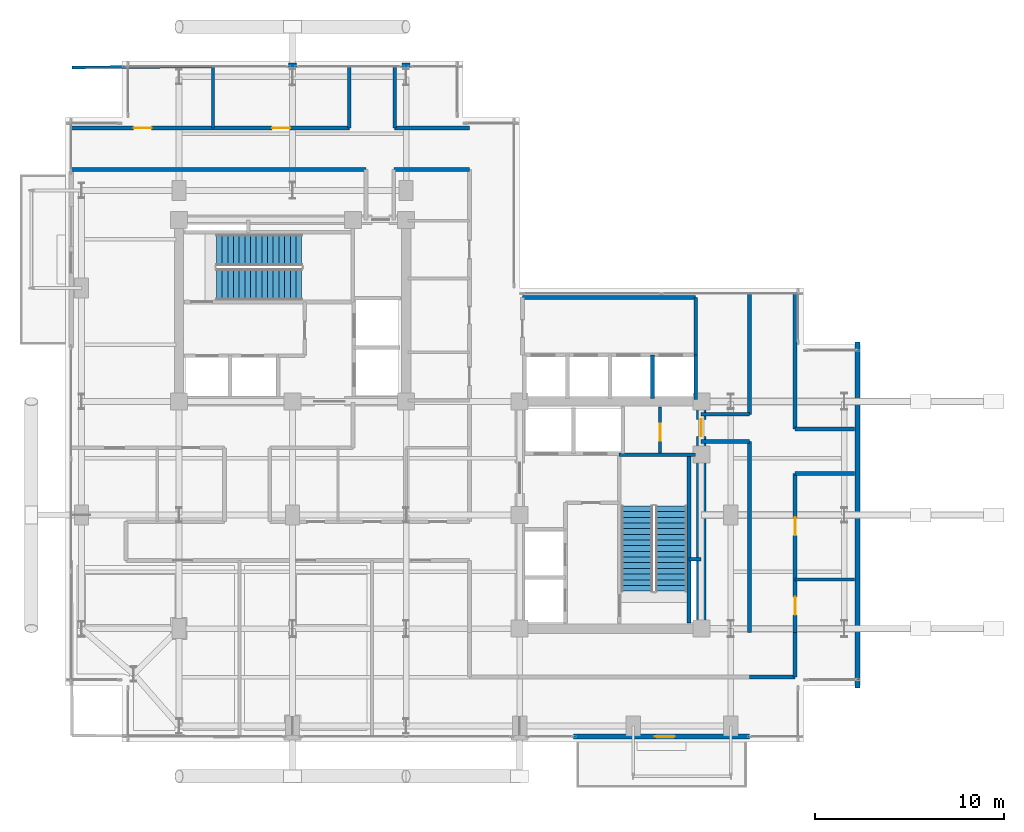
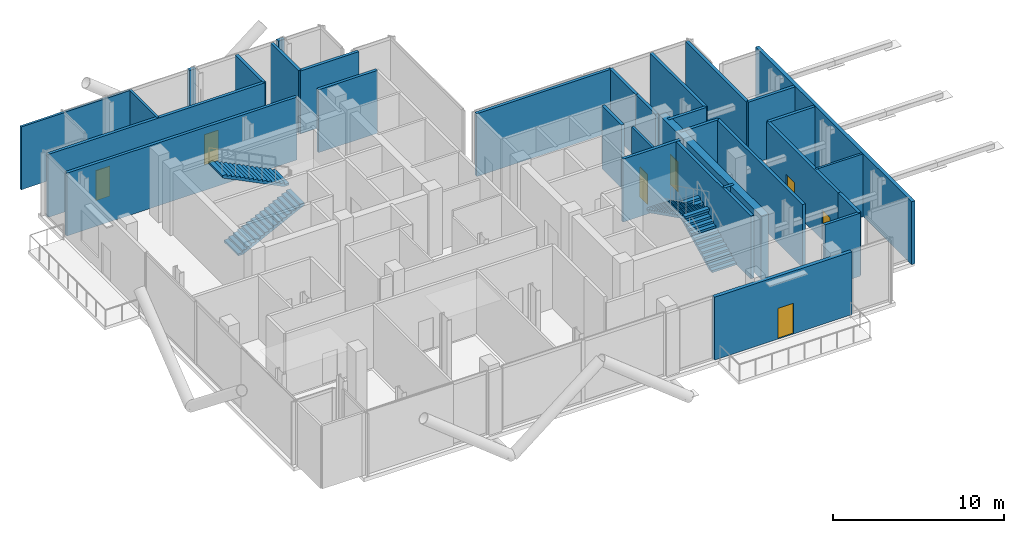
# One storey, part 19 of 22: 32 walls, 7 doors, 4 stair flights, 7 openings, 2 elements without a shape of their own.
"""IFC4 building model written with IfcOpenShell, lengths in metres."""

from ifc_helpers import new_model, si_unit, direction, frame, frame_2d, origin, place, context, subcontext, project, spatial, polyline, rectangle, outline, extrude, material, layer, layer_set, type_object, element, fill, aggregate, save


model = new_model("IFC4")

# Units and contexts
model_context = context("Model", 3, precision=1e-05, world=origin(), true_north=direction((0.0, 1.0)))
body_context = subcontext(model_context, "Body", "Model", "MODEL_VIEW")
ifc_project = project(units=[si_unit("LENGTHUNIT", "METRE"), si_unit("AREAUNIT", "SQUARE_METRE"), si_unit("VOLUMEUNIT", "CUBIC_METRE"), si_unit("PLANEANGLEUNIT", "RADIAN"), si_unit("MASSUNIT", "GRAM", prefix="KILO"), si_unit("THERMODYNAMICTEMPERATUREUNIT", "KELVIN"), si_unit("POWERUNIT", "WATT")], contexts=[model_context])

# Site, building, storey
site_placement = place(None, origin())
site = spatial("IfcSite", under=ifc_project, at=site_placement, CompositionType="ELEMENT")
building_placement = place(site_placement, origin())
building = spatial("IfcBuilding", under=site, at=building_placement, Name="Svarakhadi Broadcast Tower", CompositionType="ELEMENT")
storey_placement = place(building_placement, frame((0.0, 0.0, 199.199951171875)))
storey = spatial("IfcBuildingStorey", under=building, at=storey_placement, Name="L49", CompositionType="ELEMENT", Elevation=199.199951171875)

# Wall, opening, door
ifc_material_1 = material(Name="Concrete C40/50 (IS 456 M50)", Category="concrete")
ifc_layer_1 = layer(ifc_material_1, 0.239990234375)
ifc_layer_set_1 = layer_set([ifc_layer_1], Name="Concrete C40/50 (IS 456 M50)")
wall_type_1 = type_object("IfcWallType", Name="Wall_Ext_240", PredefinedType="SOLIDWALL", material=ifc_layer_set_1)
wall_1_placement = place(storey_placement, frame((36.14501953125, 0.300048828125, 0.0), z_axis=(0.0, 0.0, 1.0), x_axis=(-1.0, 0.0, 0.0)))
wall_1 = element("IfcWall", 1, at=wall_1_placement, inside=storey, type_object=wall_type_1, Name="L49 South Tree Balcony Spandrel Wall", PredefinedType="SOLIDWALL", context=body_context, shape_type="SweptSolid", body=[
    extrude(rectangle(XDim=9.2900390625, YDim=0.239990234375, at=frame_2d((4.64501953125, 0.0))), origin(), (0.0, 0.0, 1.0), 4.5),
])
opening_1_placement = place(wall_1_placement, frame((3.945068359375, 0.0, 0.0)))
opening_1 = element("IfcOpeningElement", 2, at=opening_1_placement, cuts=wall_1, Name="Opening ED-05", PredefinedType="OPENING", context=body_context, shape_type="SweptSolid", body=[
    extrude(rectangle(XDim=1.050048828125, YDim=2.199951171875, at=frame_2d((0.52490234375, 1.10009765625))), frame((0.0, 0.1298828125, 0.0), z_axis=(0.0, -1.0, 0.0), x_axis=(1.0, 0.0, 0.0)), (0.0, 0.0, 1.0), 0.260009765625),
])
ifc_material_2 = material(Name="Anodised Bronze Aluminium AA 6063-T6", Category="aluminium")
door_type_1 = type_object("IfcDoorType", Name="Door_Ext_ED05", OperationType="SINGLE_SWING_LEFT", PredefinedType="DOOR", material=ifc_material_2)
door_1_placement = place(opening_1_placement, origin())
door_1 = element("IfcDoor", 3, at=door_1_placement, inside=storey, type_object=door_type_1, Name="L49 South Tree Balcony Door", OperationType="SINGLE_SWING_LEFT", OverallHeight=2.199951171875, OverallWidth=1.050048828125, PredefinedType="DOOR", context=body_context, shape_type="SweptSolid", body=[
    extrude(rectangle(XDim=1.050048828125, YDim=2.199951171875, at=frame_2d((0.52490234375, 1.10009765625))), frame((0.0, 0.02490234375, 0.0), z_axis=(0.0, -1.0, 0.0), x_axis=(1.0, 0.0, 0.0)), (0.0, 0.0, 1.0), 0.050048828125),
])
fill(opening_1, door_1)

# Walls
wall_2_placement = place(storey_placement, frame((41.85009765625, 21.14990234375, 0.0), z_axis=(0.0, 0.0, 1.0), x_axis=(0.0, -1.0, 0.0)))
element("IfcWall", 4, at=wall_2_placement, inside=storey, type_object=wall_type_1, Name="L49 Sky-Pool Raker Anchor Exterior Wall", PredefinedType="SOLIDWALL", context=body_context, shape_type="SweptSolid", body=[
    extrude(rectangle(XDim=18.2998046875, YDim=0.239990234375, at=frame_2d((9.14990234375, 0.0))), origin(), (0.0, 0.0, 1.0), 4.5),
])
for number, where, z_axis, x_axis, name in (
    (5, (11.784912109375, 35.760009765625, 0.0), (0.0, 0.0, 1.0), (1.0, 0.0, 0.0), "L49 Perimeter Bronze Spandrel Closure Wall 01"),
    (6, (17.784912109375, 35.760009765625, 0.0), (0.0, 0.0, 1.0), (1.0, 0.0, 0.0), "L49 Perimeter Bronze Spandrel Closure Wall 02"),
):
    element("IfcWall", number, at=place(storey_placement, frame(where, z_axis=z_axis, x_axis=x_axis)), inside=storey, type_object=wall_type_1, Name=name, PredefinedType="SOLIDWALL", context=body_context, shape_type="SweptSolid", body=[
        extrude(rectangle(XDim=0.43017578125, YDim=0.239990234375, at=frame_2d((0.215087890625, 0.0))), origin(), (0.0, 0.0, 1.0), 4.5),
    ])
ifc_layer_2 = layer(ifc_material_1, 0.199951171875)
ifc_layer_set_2 = layer_set([ifc_layer_2], Name="Concrete C40/50 (IS 456 M50)")
wall_type_2 = type_object("IfcWallType", Name="Wall_Fire_200", PredefinedType="SOLIDWALL", material=ifc_layer_set_2)
wall_3_placement = place(storey_placement, frame((32.93994140625, 9.659912109375, 0.0), z_axis=(0.0, 0.0, 1.0), x_axis=(1.0, 0.0, 0.0)))
element("IfcWall", 7, at=wall_3_placement, inside=storey, type_object=wall_type_2, Name="L49 HV Busduct Riser Shaft North Wall", PredefinedType="SOLIDWALL", context=body_context, shape_type="SweptSolid", body=[
    extrude(rectangle(XDim=0.64013671875, YDim=0.199951171875, at=frame_2d((0.320068359375, 0.0))), origin(), (0.0, 0.0, 1.0), 4.5),
])
wall_4_placement = place(storey_placement, frame((36.14990234375, 5.800048828125, 0.0), z_axis=(0.0, 0.0, 1.0), x_axis=(0.0, 1.0, 0.0)))
element("IfcWall", 8, at=wall_4_placement, inside=storey, type_object=wall_type_2, Name="L49 Zone 2/3 Corridor Wall", PredefinedType="SOLIDWALL", context=body_context, shape_type="SweptSolid", body=[
    extrude(rectangle(XDim=10.079833984375, YDim=0.199951171875, at=frame_2d((5.0400390625, 0.0))), origin(), (0.0, 0.0, 1.0), 4.5),
])
for number, where, z_axis, x_axis, name in (
    (9, (36.14990234375, 15.8798828125, 0.0), (0.0, 0.0, 1.0), (-1.0, 0.0, 0.0), "L49 Zone 2/3 Corridor Wall"),
    (10, (33.580078125, 17.320068359375, 0.0), (0.0, 0.0, 1.0), (1.0, 0.0, 0.0), "L49 Zone 2/3 Corridor Wall"),
):
    element("IfcWall", number, at=place(storey_placement, frame(where, z_axis=z_axis, x_axis=x_axis)), inside=storey, type_object=wall_type_2, Name=name, PredefinedType="SOLIDWALL", context=body_context, shape_type="SweptSolid", body=[
        extrude(rectangle(XDim=2.56982421875, YDim=0.199951171875, at=frame_2d((1.284912109375, 0.0))), origin(), (0.0, 0.0, 1.0), 4.5),
    ])
wall_5_placement = place(storey_placement, frame((36.14990234375, 17.320068359375, 0.0), z_axis=(0.0, 0.0, 1.0), x_axis=(0.0, 1.0, 0.0)))
element("IfcWall", 11, at=wall_5_placement, inside=storey, type_object=wall_type_2, Name="L49 Zone 2/3 Corridor Wall", PredefinedType="SOLIDWALL", context=body_context, shape_type="SweptSolid", body=[
    extrude(rectangle(XDim=6.3798828125, YDim=0.199951171875, at=frame_2d((3.18994140625, 0.0))), origin(), (0.0, 0.0, 1.0), 4.5),
])
wall_6_placement = place(storey_placement, frame((38.550048828125, 23.699951171875, 0.0), z_axis=(0.0, 0.0, 1.0), x_axis=(0.0, -1.0, 0.0)))
element("IfcWall", 12, at=wall_6_placement, inside=storey, type_object=wall_type_2, Name="L49 Zone 2/3 Corridor Wall", PredefinedType="SOLIDWALL", context=body_context, shape_type="SweptSolid", body=[
    extrude(rectangle(XDim=7.14990234375, YDim=0.199951171875, at=frame_2d((3.574951171875, 0.0))), origin(), (0.0, 0.0, 1.0), 4.5),
])
for number, where, z_axis, x_axis, name in (
    (13, (38.550048828125, 16.550048828125, 0.0), (0.0, 0.0, 1.0), (1.0, 0.0, 0.0), "L49 Zone 2/3 Corridor Wall"),
    (14, (41.699951171875, 14.199951171875, 0.0), (0.0, 0.0, 1.0), (-1.0, 0.0, 0.0), "L49 Zone 2/3 Corridor Wall"),
):
    element("IfcWall", number, at=place(storey_placement, frame(where, z_axis=z_axis, x_axis=x_axis)), inside=storey, type_object=wall_type_2, Name=name, PredefinedType="SOLIDWALL", context=body_context, shape_type="SweptSolid", body=[
        extrude(rectangle(XDim=3.14990234375, YDim=0.199951171875, at=frame_2d((1.574951171875, 0.0))), origin(), (0.0, 0.0, 1.0), 4.5),
    ])

# Wall, openings, doors
wall_7_placement = place(storey_placement, frame((38.550048828125, 14.199951171875, 0.0), z_axis=(0.0, 0.0, 1.0), x_axis=(0.0, -1.0, 0.0)))
wall_7 = element("IfcWall", 15, at=wall_7_placement, inside=storey, type_object=wall_type_2, Name="L49 Zone 2/3 Corridor Wall", PredefinedType="SOLIDWALL", context=body_context, shape_type="SweptSolid", body=[
    extrude(rectangle(XDim=8.39990234375, YDim=0.199951171875, at=frame_2d((4.199951171875, 0.0))), origin(), (0.0, 0.0, 1.0), 4.5),
])
opening_2_placement = place(wall_7_placement, frame((6.52490234375, 0.0, 0.0)))
opening_2 = element("IfcOpeningElement", 16, at=opening_2_placement, cuts=wall_7, Name="Opening D-06", PredefinedType="OPENING", context=body_context, shape_type="SweptSolid", body=[
    extrude(rectangle(XDim=0.949951171875, YDim=2.14990234375, at=frame_2d((0.47509765625, 1.074951171875))), frame((0.0, 0.10986328125, 0.0), z_axis=(0.0, -1.0, 0.0), x_axis=(1.0, 0.0, 0.0)), (0.0, 0.0, 1.0), 0.219970703125),
])
opening_3_placement = place(wall_7_placement, frame((2.324951171875, 0.0, 0.0)))
opening_3 = element("IfcOpeningElement", 17, at=opening_3_placement, cuts=wall_7, Name="Opening D-07", PredefinedType="OPENING", context=body_context, shape_type="SweptSolid", body=[
    extrude(rectangle(XDim=0.949951171875, YDim=2.14990234375, at=frame_2d((0.47509765625, 1.074951171875))), frame((0.0, 0.10986328125, 0.0), z_axis=(0.0, -1.0, 0.0), x_axis=(1.0, 0.0, 0.0)), (0.0, 0.0, 1.0), 0.219970703125),
])
ifc_material_3 = material(Name="Solid-Core Teak Veneer Acoustic Timber Leaf", Category="wood")
door_type_2 = type_object("IfcDoorType", Name="Door_Office_D06", OperationType="SINGLE_SWING_LEFT", PredefinedType="DOOR", material=ifc_material_3)
door_2_placement = place(opening_2_placement, origin())
door_2 = element("IfcDoor", 18, at=door_2_placement, inside=storey, type_object=door_type_2, Name="L49 L49 VIP Broadcast Reception Room Door", OperationType="SINGLE_SWING_LEFT", OverallHeight=2.14990234375, OverallWidth=0.949951171875, PredefinedType="DOOR", context=body_context, shape_type="SweptSolid", body=[
    extrude(rectangle(XDim=0.949951171875, YDim=2.14990234375, at=frame_2d((0.47509765625, 1.074951171875))), frame((0.0, 0.02490234375, 0.0), z_axis=(0.0, -1.0, 0.0), x_axis=(1.0, 0.0, 0.0)), (0.0, 0.0, 1.0), 0.050048828125),
])
fill(opening_2, door_2)
door_type_3 = type_object("IfcDoorType", Name="Door_Office_D07", OperationType="SINGLE_SWING_RIGHT", PredefinedType="DOOR", material=ifc_material_3)
door_3_placement = place(opening_3_placement, origin())
door_3 = element("IfcDoor", 19, at=door_3_placement, inside=storey, type_object=door_type_3, Name="L49 L49 Hotel Concierge Reception Office Door", OperationType="SINGLE_SWING_RIGHT", OverallHeight=2.14990234375, OverallWidth=0.949951171875, PredefinedType="DOOR", context=body_context, shape_type="SweptSolid", body=[
    extrude(rectangle(XDim=0.949951171875, YDim=2.14990234375, at=frame_2d((0.47509765625, 1.074951171875))), frame((0.0, 0.02490234375, 0.0), z_axis=(0.0, -1.0, 0.0), x_axis=(1.0, 0.0, 0.0)), (0.0, 0.0, 1.0), 0.050048828125),
])
fill(opening_3, door_3)

# Walls
wall_8_placement = place(storey_placement, frame((38.550048828125, 5.800048828125, 0.0), z_axis=(0.0, 0.0, 1.0), x_axis=(0.0, -1.0, 0.0)))
element("IfcWall", 20, at=wall_8_placement, inside=storey, type_object=wall_type_2, Name="L49 Zone 2/3 Corridor Wall", PredefinedType="SOLIDWALL", context=body_context, shape_type="SweptSolid", body=[
    extrude(rectangle(XDim=2.35009765625, YDim=0.199951171875, at=frame_2d((1.175048828125, 0.0))), origin(), (0.0, 0.0, 1.0), 4.5),
])
wall_9_placement = place(storey_placement, frame((38.550048828125, 3.449951171875, 0.0), z_axis=(0.0, 0.0, 1.0), x_axis=(-1.0, 0.0, 0.0)))
element("IfcWall", 21, at=wall_9_placement, inside=storey, type_object=wall_type_2, Name="L49 Zone 2/3 Corridor Wall", PredefinedType="SOLIDWALL", context=body_context, shape_type="SweptSolid", body=[
    extrude(rectangle(XDim=2.400146484375, YDim=0.199951171875, at=frame_2d((1.2001953125, 0.0))), origin(), (0.0, 0.0, 1.0), 4.5),
])
wall_10_placement = place(storey_placement, frame((21.35009765625, 30.25, 0.0), z_axis=(0.0, 0.0, 1.0), x_axis=(-1.0, 0.0, 0.0)))
element("IfcWall", 22, at=wall_10_placement, inside=storey, type_object=wall_type_2, Name="L49 Zone 2/3 Corridor Wall", PredefinedType="SOLIDWALL", context=body_context, shape_type="SweptSolid", body=[
    extrude(rectangle(XDim=4.0, YDim=0.199951171875, at=frame_2d((2.0, 0.0))), origin(), (0.0, 0.0, 1.0), 4.5),
])
wall_11_placement = place(storey_placement, frame((15.8798828125, 30.25, 0.0), z_axis=(0.0, 0.0, 1.0), x_axis=(-1.0, 0.0, 0.0)))
element("IfcWall", 23, at=wall_11_placement, inside=storey, type_object=wall_type_2, Name="L49 Zone 2/3 Corridor Wall", PredefinedType="SOLIDWALL", context=body_context, shape_type="SweptSolid", body=[
    extrude(rectangle(XDim=15.579833984375, YDim=0.199951171875, at=frame_2d((7.7900390625, 0.0))), origin(), (0.0, 0.0, 1.0), 4.5),
])

# Wall, openings, doors
wall_12_placement = place(storey_placement, frame((0.300048828125, 32.449951171875, 0.0), z_axis=(0.0, 0.0, 1.0), x_axis=(1.0, 0.0, 0.0)))
wall_12 = element("IfcWall", 24, at=wall_12_placement, inside=storey, type_object=wall_type_2, Name="L49 Zone 2/3 Corridor Wall", PredefinedType="SOLIDWALL", context=body_context, shape_type="SweptSolid", body=[
    extrude(rectangle(XDim=14.699951171875, YDim=0.199951171875, at=frame_2d((7.35009765625, 0.0))), origin(), (0.0, 0.0, 1.0), 4.5),
])
opening_4_placement = place(wall_12_placement, frame((3.300048828125, 0.0, 0.0)))
opening_4 = element("IfcOpeningElement", 25, at=opening_4_placement, cuts=wall_12, Name="Opening D-07", PredefinedType="OPENING", context=body_context, shape_type="SweptSolid", body=[
    extrude(rectangle(XDim=0.949951171875, YDim=2.14990234375, at=frame_2d((0.47509765625, 1.074951171875))), frame((0.0, 0.10986328125, 0.0), z_axis=(0.0, -1.0, 0.0), x_axis=(1.0, 0.0, 0.0)), (0.0, 0.0, 1.0), 0.219970703125),
])
opening_5_placement = place(wall_12_placement, frame((10.625, 0.0, 0.0)))
opening_5 = element("IfcOpeningElement", 26, at=opening_5_placement, cuts=wall_12, Name="Opening D-06", PredefinedType="OPENING", context=body_context, shape_type="SweptSolid", body=[
    extrude(rectangle(XDim=0.949951171875, YDim=2.14990234375, at=frame_2d((0.47509765625, 1.074951171875))), frame((0.0, 0.10986328125, 0.0), z_axis=(0.0, -1.0, 0.0), x_axis=(1.0, 0.0, 0.0)), (0.0, 0.0, 1.0), 0.219970703125),
])
door_4_placement = place(opening_5_placement, origin())
door_4 = element("IfcDoor", 27, at=door_4_placement, inside=storey, type_object=door_type_2, Name="L49 L49 Concierge Hospitality Office Door", OperationType="SINGLE_SWING_LEFT", OverallHeight=2.14990234375, OverallWidth=0.949951171875, PredefinedType="DOOR", context=body_context, shape_type="SweptSolid", body=[
    extrude(rectangle(XDim=0.949951171875, YDim=2.14990234375, at=frame_2d((0.47509765625, 1.074951171875))), frame((0.0, 0.02490234375, 0.0), z_axis=(0.0, -1.0, 0.0), x_axis=(1.0, 0.0, 0.0)), (0.0, 0.0, 1.0), 0.050048828125),
])
fill(opening_5, door_4)
door_5_placement = place(opening_4_placement, origin())
door_5 = element("IfcDoor", 28, at=door_5_placement, inside=storey, type_object=door_type_3, Name="L49 L49 Guest Wellness Lounge Door", OperationType="SINGLE_SWING_RIGHT", OverallHeight=2.14990234375, OverallWidth=0.949951171875, PredefinedType="DOOR", context=body_context, shape_type="SweptSolid", body=[
    extrude(rectangle(XDim=0.949951171875, YDim=2.14990234375, at=frame_2d((0.47509765625, 1.074951171875))), frame((0.0, 0.02490234375, 0.0), z_axis=(0.0, -1.0, 0.0), x_axis=(1.0, 0.0, 0.0)), (0.0, 0.0, 1.0), 0.050048828125),
])
fill(opening_4, door_5)

# Walls
for number, where, z_axis, x_axis, name in (
    (29, (15.0, 32.449951171875, 0.0), (0.0, 0.0, 1.0), (0.0, 1.0, 0.0), "L49 Zone 2/3 Corridor Wall"),
    (30, (17.39990234375, 35.699951171875, 0.0), (0.0, 0.0, 1.0), (0.0, -1.0, 0.0), "L49 Zone 2/3 Corridor Wall"),
):
    element("IfcWall", number, at=place(storey_placement, frame(where, z_axis=z_axis, x_axis=x_axis)), inside=storey, type_object=wall_type_2, Name=name, PredefinedType="SOLIDWALL", context=body_context, shape_type="SweptSolid", body=[
        extrude(rectangle(XDim=3.25, YDim=0.199951171875, at=frame_2d((1.625, 0.0))), origin(), (0.0, 0.0, 1.0), 4.5),
    ])
wall_13_placement = place(storey_placement, frame((17.39990234375, 32.449951171875, 0.0), z_axis=(0.0, 0.0, 1.0), x_axis=(1.0, 0.0, 0.0)))
element("IfcWall", 31, at=wall_13_placement, inside=storey, type_object=wall_type_2, Name="L49 Zone 2/3 Corridor Wall", PredefinedType="SOLIDWALL", context=body_context, shape_type="SweptSolid", body=[
    extrude(rectangle(XDim=3.9501953125, YDim=0.199951171875, at=frame_2d((1.97509765625, 0.0))), origin(), (0.0, 0.0, 1.0), 4.5),
])

# Wall, opening, door
ifc_material_4 = material(Name="Autoclaved Aerated Concrete Blockwork 150 mm", Category="masonry")
ifc_layer_3 = layer(ifc_material_4, 0.14990234375)
ifc_layer_set_3 = layer_set([ifc_layer_3], Name="Autoclaved Aerated Concrete Blockwork 150 mm")
wall_type_3 = type_object("IfcWallType", Name="Wall_Part_150", PredefinedType="PARTITIONING", material=ifc_layer_set_3)
wall_14_placement = place(storey_placement, frame((31.419921875, 15.280029296875, 0.0), z_axis=(0.0, 0.0, 1.0), x_axis=(0.0, 1.0, 0.0)))
wall_14 = element("IfcWall", 32, at=wall_14_placement, inside=storey, type_object=wall_type_3, Name="L49 Core Service Split Wall", PredefinedType="PARTITIONING", context=body_context, shape_type="SweptSolid", body=[
    extrude(rectangle(XDim=2.419921875, YDim=0.14990234375, at=frame_2d((1.2099609375, 0.0))), origin(), (0.0, 0.0, 1.0), 4.5),
])
opening_6_placement = place(wall_14_placement, frame((0.64990234375, 0.0, 0.0)))
opening_6 = element("IfcOpeningElement", 33, at=opening_6_placement, cuts=wall_14, Name="Opening D-03", PredefinedType="OPENING", context=body_context, shape_type="SweptSolid", body=[
    extrude(rectangle(XDim=0.89990234375, YDim=2.14990234375, at=frame_2d((0.449951171875, 1.074951171875))), frame((0.0, 0.0849609375, 0.0), z_axis=(0.0, -1.0, 0.0), x_axis=(1.0, 0.0, 0.0)), (0.0, 0.0, 1.0), 0.169921875),
])
ifc_material_5 = material(Name="Galvanised Powder-Coated Fire-Rated Steel Leaf", Category="steel")
door_type_4 = type_object("IfcDoorType", Name="Door_Fire_D03", OperationType="SINGLE_SWING_LEFT", PredefinedType="DOOR", material=ifc_material_5)
door_6_placement = place(opening_6_placement, origin())
door_6 = element("IfcDoor", 34, at=door_6_placement, inside=storey, type_object=door_type_4, Name="L49 Core Inner Riser Store Door", OperationType="SINGLE_SWING_LEFT", OverallHeight=2.14990234375, OverallWidth=0.89990234375, PredefinedType="DOOR", context=body_context, shape_type="SweptSolid", body=[
    extrude(rectangle(XDim=0.89990234375, YDim=2.14990234375, at=frame_2d((0.449951171875, 1.074951171875))), frame((0.0, 0.02490234375, 0.0), z_axis=(0.0, -1.0, 0.0), x_axis=(1.0, 0.0, 0.0)), (0.0, 0.0, 1.0), 0.050048828125),
])
fill(opening_6, door_6)

# Walls
wall_15_placement = place(storey_placement, frame((38.550048828125, 8.60009765625, 0.0), z_axis=(0.0, 0.0, 1.0), x_axis=(1.0, 0.0, 0.0)))
element("IfcWall", 35, at=wall_15_placement, inside=storey, type_object=wall_type_3, Name="L49 L49 VIP Broadcast Reception Room Wall", PredefinedType="PARTITIONING", context=body_context, shape_type="SweptSolid", body=[
    extrude(rectangle(XDim=3.14990234375, YDim=0.14990234375, at=frame_2d((1.574951171875, 0.0))), origin(), (0.0, 0.0, 1.0), 4.5),
])
wall_16_placement = place(storey_placement, frame((0.35009765625, 35.64990234375, 0.0), z_axis=(0.0, 0.0, 1.0), x_axis=(0.999977434951, 0.006717855945, 0.0)))
element("IfcWall", 36, at=wall_16_placement, inside=storey, type_object=wall_type_3, Name="L49 L49 Guest Wellness Lounge Wall", PredefinedType="PARTITIONING", context=body_context, shape_type="SweptSolid", body=[
    extrude(rectangle(XDim=7.4501953125, YDim=0.14990234375, at=frame_2d((3.72509765625, 0.0))), origin(), (0.0, 0.0, 1.0), 4.5),
])
wall_17_placement = place(storey_placement, frame((7.800048828125, 32.449951171875, 0.0), z_axis=(0.0, 0.0, 1.0), x_axis=(0.0, 1.0, 0.0)))
element("IfcWall", 37, at=wall_17_placement, inside=storey, type_object=wall_type_3, Name="L49 L49 Guest Wellness Lounge Wall", PredefinedType="PARTITIONING", context=body_context, shape_type="SweptSolid", body=[
    extrude(rectangle(XDim=3.25, YDim=0.14990234375, at=frame_2d((1.625, 0.0))), origin(), (0.0, 0.0, 1.0), 4.5),
])
ifc_material_6 = material(Name="Concrete C50/60 (IS 456 M60)", Category="concrete")
ifc_layer_4 = layer(ifc_material_6, 0.199951171875)
ifc_layer_set_4 = layer_set([ifc_layer_4], Name="Concrete C50/60 (IS 456 M60)")
wall_type_4 = type_object("IfcWallType", Name="Wall_Shear_200", PredefinedType="SHEAR", material=ifc_layer_set_4)
wall_18_placement = place(storey_placement, frame((32.93994140625, 6.300048828125, 0.0), z_axis=(0.0, 0.0, 1.0), x_axis=(0.0, 1.0, 0.0)))
element("IfcWall", 38, at=wall_18_placement, inside=storey, type_object=wall_type_4, Name="L49 Stair ST-02 East RC Shaft Wall", PredefinedType="SHEAR", context=body_context, shape_type="SweptSolid", body=[
    extrude(rectangle(XDim=8.8798828125, YDim=0.199951171875, at=frame_2d((4.43994140625, 0.0))), origin(), (0.0, 0.0, 1.0), 4.5),
])
wall_19_placement = place(storey_placement, frame((29.260009765625, 15.179931640625, 0.0), z_axis=(0.0, 0.0, 1.0), x_axis=(1.0, 0.0, 0.0)))
element("IfcWall", 39, at=wall_19_placement, inside=storey, type_object=wall_type_4, Name="L49 Stair ST-02 North RC Shaft Wall", PredefinedType="SHEAR", context=body_context, shape_type="SweptSolid", body=[
    extrude(rectangle(XDim=4.0400390625, YDim=0.199951171875, at=frame_2d((2.02001953125, 0.0))), origin(), (0.0, 0.0, 1.0), 4.5),
])
wall_20_placement = place(storey_placement, frame((33.300048828125, 18.10009765625, 0.0), z_axis=(0.0, 0.0, 1.0), x_axis=(0.0, 1.0, 0.0)))
element("IfcWall", 40, at=wall_20_placement, inside=storey, type_object=wall_type_4, Name="L49 Bank B East Shaft Wall", PredefinedType="SHEAR", context=body_context, shape_type="SweptSolid", body=[
    extrude(rectangle(XDim=2.349853515625, YDim=0.199951171875, at=frame_2d((1.1748046875, 0.0))), origin(), (0.0, 0.0, 1.0), 4.5),
])
wall_21_placement = place(storey_placement, frame((31.02001953125, 18.14990234375, 0.0), z_axis=(0.0, 0.0, 1.0), x_axis=(0.0, 1.0, 0.0)))
element("IfcWall", 41, at=wall_21_placement, inside=storey, type_object=wall_type_4, Name="L49 Bank B Divider", PredefinedType="SHEAR", context=body_context, shape_type="SweptSolid", body=[
    extrude(rectangle(XDim=2.300048828125, YDim=0.199951171875, at=frame_2d((1.14990234375, 0.0))), origin(), (0.0, 0.0, 1.0), 4.5),
])
wall_22_placement = place(storey_placement, frame((24.14990234375, 23.5, 0.0), z_axis=(0.0, 0.0, 1.0), x_axis=(1.0, 0.0, 0.0)))
element("IfcWall", 42, at=wall_22_placement, inside=storey, type_object=wall_type_4, Name="L49 Bank B Lift Hall North Wall", PredefinedType="SHEAR", context=body_context, shape_type="SweptSolid", body=[
    extrude(rectangle(XDim=9.150146484375, YDim=0.199951171875, at=frame_2d((4.5751953125, 0.0))), origin(), (0.0, 0.0, 1.0), 4.5),
])
wall_23_placement = place(storey_placement, frame((33.300048828125, 20.449951171875, 0.0), z_axis=(0.0, 0.0, 1.0), x_axis=(0.0, 1.0, 0.0)))
element("IfcWall", 43, at=wall_23_placement, inside=storey, type_object=wall_type_4, Name="L49 Bank B Lift Hall East Wall", PredefinedType="SHEAR", context=body_context, shape_type="SweptSolid", body=[
    extrude(rectangle(XDim=3.050048828125, YDim=0.199951171875, at=frame_2d((1.52490234375, 0.0))), origin(), (0.0, 0.0, 1.0), 4.5),
])

# Wall, opening, door
ifc_layer_5 = layer(ifc_material_6, 0.5)
ifc_layer_set_5 = layer_set([ifc_layer_5], Name="Concrete C50/60 (IS 456 M60)")
wall_type_5 = type_object("IfcWallType", Name="Wall_Shear_500", PredefinedType="SHEAR", material=ifc_layer_set_5)
wall_24_placement = place(storey_placement, frame((33.60009765625, 6.0, 0.0), z_axis=(0.0, 0.0, 1.0), x_axis=(0.0, 1.0, 0.0)))
wall_24 = element("IfcWall", 44, at=wall_24_placement, inside=storey, type_object=wall_type_5, Name="L49 East Core East Shear Wall", PredefinedType="SHEAR", context=body_context, shape_type="SweptSolid", body=[
    extrude(rectangle(XDim=12.0, YDim=0.5, at=frame_2d((6.0, 0.0))), origin(), (0.0, 0.0, 1.0), 4.5),
])
opening_7_placement = place(wall_24_placement, frame((10.14990234375, 0.0, 0.0)))
opening_7 = element("IfcOpeningElement", 45, at=opening_7_placement, cuts=wall_24, Name="Opening D-04", PredefinedType="OPENING", context=body_context, shape_type="SweptSolid", body=[
    extrude(rectangle(XDim=0.89990234375, YDim=2.14990234375, at=frame_2d((0.449951171875, 1.074951171875))), frame((0.0, 0.260009765625, 0.0), z_axis=(0.0, -1.0, 0.0), x_axis=(1.0, 0.0, 0.0)), (0.0, 0.0, 1.0), 0.52001953125),
])
door_type_5 = type_object("IfcDoorType", Name="Door_Fire_D04", OperationType="SINGLE_SWING_RIGHT", PredefinedType="DOOR", material=ifc_material_5)
door_7_placement = place(opening_7_placement, origin())
door_7 = element("IfcDoor", 46, at=door_7_placement, inside=storey, type_object=door_type_5, Name="L49 Core Outer Service Store Door", OperationType="SINGLE_SWING_RIGHT", OverallHeight=2.14990234375, OverallWidth=0.89990234375, PredefinedType="DOOR", context=body_context, shape_type="SweptSolid", body=[
    extrude(rectangle(XDim=0.89990234375, YDim=2.14990234375, at=frame_2d((0.449951171875, 1.074951171875))), frame((0.0, 0.02490234375, 0.0), z_axis=(0.0, -1.0, 0.0), x_axis=(1.0, 0.0, 0.0)), (0.0, 0.0, 1.0), 0.050048828125),
])
fill(opening_7, door_7)

# Stair, stair flights
stair_type = type_object("IfcStairType", Name="Stair_Exit_Core", PredefinedType="HALF_TURN_STAIR", material=ifc_material_1)
stair_1_placement = place(storey_placement, origin())
stair_1 = element("IfcStair", 47, at=stair_1_placement, inside=storey, type_object=stair_type, Name="L49 West Core Protected Exit Stair ST-01", PredefinedType="HALF_TURN_STAIR")
stair_flight_type = type_object("IfcStairFlightType", Name="Flight_RC_1680", PredefinedType="STRAIGHT", material=ifc_material_1)
stair_flight_1_placement = place(storey_placement, frame((7.97998046875, 24.18994140625, 0.0), z_axis=(0.0, 0.0, 1.0), x_axis=(1.0, 0.0, 0.0)))
stair_flight_1 = element("IfcStairFlight", 48, at=stair_flight_1_placement, type_object=stair_flight_type, Name="ST-01 flight 1", NumberOfRisers=16, NumberOfTreads=15, PredefinedType="STRAIGHT", RiserHeight=0.15, TreadLength=0.3, context=body_context, shape_type="SweptSolid", body=[
    extrude(outline(polyline([(0.0, 0.0), (0.0, 0.14990234375), (0.300048828125, 0.14990234375), (0.300048828125, 0.300048828125), (0.60009765625, 0.300048828125), (0.60009765625, 0.449951171875), (0.89990234375, 0.449951171875), (0.89990234375, 0.60009765625), (1.199951171875, 0.60009765625), (1.199951171875, 0.75), (1.5, 0.75), (1.5, 0.89990234375), (1.800048828125, 0.89990234375), (1.800048828125, 1.050048828125), (2.10009765625, 1.050048828125), (2.10009765625, 1.199951171875), (2.39990234375, 1.199951171875), (2.39990234375, 1.35009765625), (2.699951171875, 1.35009765625), (2.699951171875, 1.5), (3.0, 1.5), (3.0, 1.64990234375), (3.300048828125, 1.64990234375), (3.300048828125, 1.800048828125), (3.60009765625, 1.800048828125), (3.60009765625, 1.949951171875), (3.89990234375, 1.949951171875), (3.89990234375, 2.10009765625), (4.199951171875, 2.10009765625), (4.199951171875, 2.25), (4.5, 2.25), (4.5, 2.39990234375), (4.5, 2.08251953125), (0.335205078125, 0.0), (0.0, 0.0)])), frame((0.0, 0.830078125, 0.0), z_axis=(0.0, -1.0, 0.0), x_axis=(1.0, 0.0, 0.0)), (0.0, 0.0, 1.0), 1.659912109375),
])
stair_flight_2_placement = place(storey_placement, frame((12.47998046875, 26.010009765625, 2.400146484375), z_axis=(0.0, 0.0, 1.0), x_axis=(-1.0, 0.0, 0.0)))
stair_flight_2 = element("IfcStairFlight", 49, at=stair_flight_2_placement, type_object=stair_flight_type, Name="ST-01 flight 2", NumberOfRisers=16, NumberOfTreads=15, PredefinedType="STRAIGHT", RiserHeight=0.15, TreadLength=0.3, context=body_context, shape_type="SweptSolid", body=[
    extrude(outline(polyline([(0.0, 0.0), (0.0, 0.14990234375), (0.300048828125, 0.14990234375), (0.300048828125, 0.300048828125), (0.60009765625, 0.300048828125), (0.60009765625, 0.449951171875), (0.89990234375, 0.449951171875), (0.89990234375, 0.60009765625), (1.199951171875, 0.60009765625), (1.199951171875, 0.75), (1.5, 0.75), (1.5, 0.89990234375), (1.800048828125, 0.89990234375), (1.800048828125, 1.050048828125), (2.10009765625, 1.050048828125), (2.10009765625, 1.199951171875), (2.39990234375, 1.199951171875), (2.39990234375, 1.35009765625), (2.699951171875, 1.35009765625), (2.699951171875, 1.5), (3.0, 1.5), (3.0, 1.64990234375), (3.300048828125, 1.64990234375), (3.300048828125, 1.800048828125), (3.60009765625, 1.800048828125), (3.60009765625, 1.949951171875), (3.89990234375, 1.949951171875), (3.89990234375, 2.10009765625), (4.199951171875, 2.10009765625), (4.199951171875, 2.25), (4.5, 2.25), (4.5, 2.39990234375), (4.5, 2.08251953125), (0.335205078125, 0.0), (0.0, 0.0)])), frame((0.0, 0.830078125, 0.0), z_axis=(0.0, -1.0, 0.0), x_axis=(1.0, 0.0, 0.0)), (0.0, 0.0, 1.0), 1.659912109375),
])
aggregate(stair_1, [stair_flight_1, stair_flight_2])

stair_2_placement = place(storey_placement, origin())
stair_2 = element("IfcStair", 50, at=stair_2_placement, inside=storey, type_object=stair_type, Name="L49 East Core Protected Exit Stair ST-02", PredefinedType="HALF_TURN_STAIR")
stair_flight_3_placement = place(storey_placement, frame((32.010009765625, 7.97998046875, 0.0), z_axis=(0.0, 0.0, 1.0), x_axis=(0.0, 1.0, 0.0)))
stair_flight_3 = element("IfcStairFlight", 51, at=stair_flight_3_placement, type_object=stair_flight_type, Name="ST-02 flight 1", NumberOfRisers=16, NumberOfTreads=15, PredefinedType="STRAIGHT", RiserHeight=0.15, TreadLength=0.3, context=body_context, shape_type="SweptSolid", body=[
    extrude(outline(polyline([(0.0, 0.0), (0.0, 0.14990234375), (0.300048828125, 0.14990234375), (0.300048828125, 0.300048828125), (0.60009765625, 0.300048828125), (0.60009765625, 0.449951171875), (0.89990234375, 0.449951171875), (0.89990234375, 0.60009765625), (1.199951171875, 0.60009765625), (1.199951171875, 0.75), (1.5, 0.75), (1.5, 0.89990234375), (1.800048828125, 0.89990234375), (1.800048828125, 1.050048828125), (2.10009765625, 1.050048828125), (2.10009765625, 1.199951171875), (2.39990234375, 1.199951171875), (2.39990234375, 1.35009765625), (2.699951171875, 1.35009765625), (2.699951171875, 1.5), (3.0, 1.5), (3.0, 1.64990234375), (3.300048828125, 1.64990234375), (3.300048828125, 1.800048828125), (3.60009765625, 1.800048828125), (3.60009765625, 1.949951171875), (3.89990234375, 1.949951171875), (3.89990234375, 2.10009765625), (4.199951171875, 2.10009765625), (4.199951171875, 2.25), (4.5, 2.25), (4.5, 2.39990234375), (4.5, 2.08251953125), (0.335205078125, 0.0), (0.0, 0.0)])), frame((0.0, 0.830078125, 0.0), z_axis=(0.0, -1.0, 0.0), x_axis=(1.0, 0.0, 0.0)), (0.0, 0.0, 1.0), 1.659912109375),
])
stair_flight_4_placement = place(storey_placement, frame((30.18994140625, 12.47998046875, 2.400146484375), z_axis=(0.0, 0.0, 1.0), x_axis=(0.0, -1.0, 0.0)))
stair_flight_4 = element("IfcStairFlight", 52, at=stair_flight_4_placement, type_object=stair_flight_type, Name="ST-02 flight 2", NumberOfRisers=16, NumberOfTreads=15, PredefinedType="STRAIGHT", RiserHeight=0.15, TreadLength=0.3, context=body_context, shape_type="SweptSolid", body=[
    extrude(outline(polyline([(0.0, 0.0), (0.0, 0.14990234375), (0.300048828125, 0.14990234375), (0.300048828125, 0.300048828125), (0.60009765625, 0.300048828125), (0.60009765625, 0.449951171875), (0.89990234375, 0.449951171875), (0.89990234375, 0.60009765625), (1.199951171875, 0.60009765625), (1.199951171875, 0.75), (1.5, 0.75), (1.5, 0.89990234375), (1.800048828125, 0.89990234375), (1.800048828125, 1.050048828125), (2.10009765625, 1.050048828125), (2.10009765625, 1.199951171875), (2.39990234375, 1.199951171875), (2.39990234375, 1.35009765625), (2.699951171875, 1.35009765625), (2.699951171875, 1.5), (3.0, 1.5), (3.0, 1.64990234375), (3.300048828125, 1.64990234375), (3.300048828125, 1.800048828125), (3.60009765625, 1.800048828125), (3.60009765625, 1.949951171875), (3.89990234375, 1.949951171875), (3.89990234375, 2.10009765625), (4.199951171875, 2.10009765625), (4.199951171875, 2.25), (4.5, 2.25), (4.5, 2.39990234375), (4.5, 2.08251953125), (0.335205078125, 0.0), (0.0, 0.0)])), frame((0.0, 0.830078125, 0.0), z_axis=(0.0, -1.0, 0.0), x_axis=(1.0, 0.0, 0.0)), (0.0, 0.0, 1.0), 1.659912109375),
])
aggregate(stair_2, [stair_flight_3, stair_flight_4])

save(model, "model.ifc")
